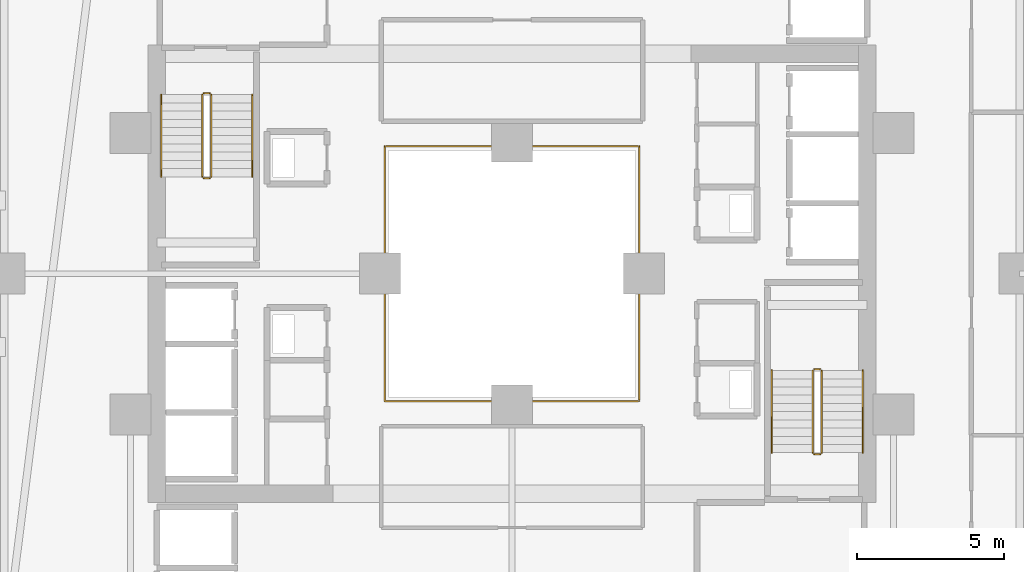
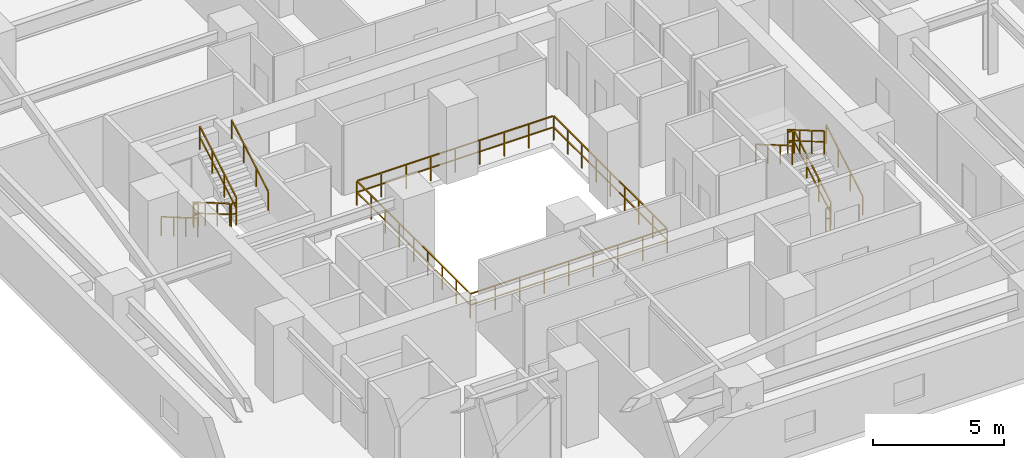
# One storey, part 35 of 36: 13 railings.
"""IFC4 building model written with IfcOpenShell, lengths in metres."""

import ifcopenshell
import ifcopenshell.guid

model = None  # the IFC model being written
_history = None  # IfcOwnerHistory: only IFC2X3 demands one
_inside = {}  # id of a spatial element -> (the spatial element, [elements in it])
_under = {}  # id of a project, library or spatial element -> (it, [spatial elements below it])
_declared = {}  # id of a project -> (the project, [libraries it declares])
_typed = {}  # id of a type object -> (the type object, [elements of that type])
_made_of = {}  # id of a material, layer set ... -> (it, [elements and type objects made of it])


def new_model(schema):
    """Start an empty IFC model of exactly this schema.

    Asked for "IFC4X3", IfcOpenShell would pick the latest addendum, in which some entities
    have other attributes; the version numbers below select the first issue.
    IFC2X3 requires an IfcOwnerHistory on every rooted entity: one is made here for all.
    """
    global model, _history
    if schema == "IFC4X3":
        model = ifcopenshell.file(schema_version=(4, 3, 0, 0))
    else:
        model = ifcopenshell.file(schema=schema)
    _inside.clear()
    _under.clear()
    _declared.clear()
    _typed.clear()
    _made_of.clear()
    _history = None
    if model.schema == "IFC2X3":
        org = make("IfcOrganization", Name="unknown")
        user = make(
            "IfcPersonAndOrganization",
            ThePerson=make("IfcPerson", FamilyName="unknown"),
            TheOrganization=org,
        )
        app = make(
            "IfcApplication",
            ApplicationDeveloper=org,
            Version="unknown",
            ApplicationFullName="unknown",
            ApplicationIdentifier="unknown",
        )
        _history = make(
            "IfcOwnerHistory",
            OwningUser=user,
            OwningApplication=app,
            ChangeAction="ADDED",
            CreationDate=0,
        )
    return model


def make(cls, **values):
    """One entity of the class cls with the attributes given. An attribute that is None is left unset."""
    return model.create_entity(
        cls, **{name: value for name, value in values.items() if value is not None}
    )


def rooted(cls, **values):
    """An entity with a GlobalId (a new one), such as an element, a storey or a relation."""
    return make(cls, GlobalId=ifcopenshell.guid.new(), OwnerHistory=_history, **values)


def si_unit(unit_type, name, prefix=None):
    """IfcSIUnit, for example si_unit("LENGTHUNIT", "METRE", prefix="MILLI")."""
    return make("IfcSIUnit", UnitType=unit_type, Prefix=prefix, Name=name)


def assignment(units):
    """IfcUnitAssignment: the units of a project."""
    return None if units is None else make("IfcUnitAssignment", Units=units)


def point(xyz):
    """IfcCartesianPoint."""
    return None if xyz is None else make("IfcCartesianPoint", Coordinates=xyz)


def direction(xyz):
    """IfcDirection."""
    return None if xyz is None else make("IfcDirection", DirectionRatios=xyz)


def frame(location, z_axis=None, x_axis=None):
    """IfcAxis2Placement3D, a coordinate frame: its origin and axes. An axis left out is left unset."""
    return make(
        "IfcAxis2Placement3D",
        Location=point(location),
        Axis=direction(z_axis),
        RefDirection=direction(x_axis),
    )


def frame_2d(location, x_axis=None):
    """IfcAxis2Placement2D, a coordinate frame in the plane: its origin and x axis."""
    return make(
        "IfcAxis2Placement2D", Location=point(location), RefDirection=direction(x_axis)
    )


def origin():
    """The frame at (0, 0, 0) with its axes left unset."""
    return frame((0.0, 0.0, 0.0))


def origin_2d():
    """The frame at (0, 0) in the plane with its x axis left unset."""
    return frame_2d((0.0, 0.0))


def place(relative_to, where):
    """IfcLocalPlacement: puts the frame where relative to a parent placement (None: the world)."""
    return make(
        "IfcLocalPlacement", PlacementRelTo=relative_to, RelativePlacement=where
    )


def context(
    kind, dimensions, precision=None, world=None, true_north=None, identifier=None
):
    """IfcGeometricRepresentationContext, for example the 3D "Model" context."""
    return make(
        "IfcGeometricRepresentationContext",
        ContextIdentifier=identifier,
        ContextType=kind,
        CoordinateSpaceDimension=dimensions,
        Precision=precision,
        WorldCoordinateSystem=world,
        TrueNorth=true_north,
    )


def subcontext(parent, identifier, kind, view, scale=None):
    """IfcGeometricRepresentationSubContext, for example "Body" below "Model"."""
    return make(
        "IfcGeometricRepresentationSubContext",
        ContextIdentifier=identifier,
        ContextType=kind,
        ParentContext=parent,
        TargetScale=scale,
        TargetView=view,
    )


def project(units=None, contexts=None):
    """IfcProject with its units and contexts."""
    return rooted(
        "IfcProject",
        Name="project",
        RepresentationContexts=contexts,
        UnitsInContext=assignment(units),
    )


def spatial(cls, under=None, at=None, **own):
    """A site, building, storey or space (cls), placed at a placement, below another one or the project."""
    s = rooted(cls, ObjectPlacement=at, **own)
    if under is not None:
        _under.setdefault(under.id(), (under, []))[1].append(s)
    return s


def profile(cls, at=None, kind="AREA", **sizes):
    """A parametric profile (cls). Its sizes go by their IFC names, for example OverallWidth=200.0."""
    return make(cls, ProfileType=kind, Position=at, **sizes)


def rectangle(**sizes):
    """IfcRectangleProfileDef."""
    return profile("IfcRectangleProfileDef", **sizes)


def extrude(swept, where, along, depth):
    """IfcExtrudedAreaSolid: the profile swept, set in the frame where, extruded along a direction by depth."""
    return make(
        "IfcExtrudedAreaSolid",
        SweptArea=swept,
        Position=where,
        ExtrudedDirection=direction(along),
        Depth=depth,
    )


def shape(context_of_items, identifier, shape_type, items):
    """IfcShapeRepresentation: the items that make up one representation, for example the "Body"."""
    return make(
        "IfcShapeRepresentation",
        ContextOfItems=context_of_items,
        RepresentationIdentifier=identifier,
        RepresentationType=shape_type,
        Items=items,
    )


def material(Name=None, Category=None):
    """IfcMaterial."""
    return make("IfcMaterial", Name=Name, Category=Category)


def made_of(thing, what):
    """Note that an element or type object is made of a material, layer set ...; save() writes the relation."""
    if what is not None:
        _made_of.setdefault(what.id(), (what, []))[1].append(thing)
    return thing


def type_object(cls, material=None, **own):
    """A type object (cls), such as IfcWallType, which elements share."""
    return made_of(rooted(cls, **own), material)


def element(
    cls,
    number,
    at=None,
    inside=None,
    cuts=None,
    type_object=None,
    material=None,
    context=None,
    identifier="Body",
    shape_type=None,
    held_by="IfcProductDefinitionShape",
    body=None,
    shapes=None,
    **own,
):
    """One element of the class cls, such as IfcWall. Its Tag is "e" and its number.

    at: its placement. inside: the storey or other place that contains it. cuts: it is an
    opening in that element (IfcRelVoidsElement). A single representation is given by context,
    identifier, shape_type and body (its items); several are given by shapes. held_by: the class
    of the entity that holds the representations. save() writes the other relations.
    """
    e = rooted(cls, Tag="e%d" % number, ObjectPlacement=at, **own)
    if body is not None:
        shapes = [shape(context, identifier, shape_type, body)]
    if shapes is not None:
        e.Representation = make(held_by, Representations=shapes)
    if inside is not None:
        _inside.setdefault(inside.id(), (inside, []))[1].append(e)
    if cuts is not None:
        rooted(
            "IfcRelVoidsElement", RelatingBuildingElement=cuts, RelatedOpeningElement=e
        )
    if type_object is not None:
        _typed.setdefault(type_object.id(), (type_object, []))[1].append(e)
    return made_of(e, material)


def aggregate(whole, parts):
    """IfcRelAggregates: a whole, such as a stair, and the parts it consists of."""
    return rooted("IfcRelAggregates", RelatingObject=whole, RelatedObjects=parts)


def save(model, path):
    """Write the relations noted so far, then the file.

    IfcRelAggregates (storeys below a building ...), IfcRelContainedInSpatialStructure (elements
    in a storey), IfcRelDefinesByType, IfcRelAssociatesMaterial and IfcRelDeclares: one each for
    every whole, place, type object, material and project.
    """
    for whole, parts in _under.values():
        aggregate(whole, parts)
    for where, things in _inside.values():
        rooted(
            "IfcRelContainedInSpatialStructure",
            RelatedElements=things,
            RelatingStructure=where,
        )
    for kind, things in _typed.values():
        rooted("IfcRelDefinesByType", RelatedObjects=things, RelatingType=kind)
    for what, things in _made_of.values():
        rooted("IfcRelAssociatesMaterial", RelatedObjects=things, RelatingMaterial=what)
    for by, libraries in _declared.values():
        rooted("IfcRelDeclares", RelatingContext=by, RelatedDefinitions=libraries)
    model.write(path)


model = new_model("IFC4")

# Units and contexts
model_context = context("Model", 3, precision=1e-05, world=origin(), true_north=direction((0.0, 1.0)))
body_context = subcontext(model_context, "Body", "Model", "MODEL_VIEW")
ifc_project = project(units=[si_unit("LENGTHUNIT", "METRE"), si_unit("AREAUNIT", "SQUARE_METRE"), si_unit("VOLUMEUNIT", "CUBIC_METRE"), si_unit("PLANEANGLEUNIT", "RADIAN"), si_unit("MASSUNIT", "GRAM", prefix="KILO")], contexts=[model_context])

# Site, building, storey
site_placement = place(None, origin())
site = spatial("IfcSite", under=ifc_project, at=site_placement, CompositionType="ELEMENT")
building_placement = place(site_placement, origin())
building = spatial("IfcBuilding", under=site, at=building_placement, Name="Thornwick Lancets Civic Towers", CompositionType="ELEMENT")
storey_placement = place(building_placement, frame((0.0, 0.0, 68.10009765625)))
storey = spatial("IfcBuildingStorey", under=building, at=storey_placement, Name="L17", CompositionType="ELEMENT", Elevation=68.10009765625)

# Railings
ifc_material_1 = material(Name="Laminated glass and bronze steel S355", Category="steel")
railing_type_1 = type_object("IfcRailingType", Name="RAIL_ATRIUM_GUARD", PredefinedType="BALUSTRADE", material=ifc_material_1)
railing_1_placement = place(storey_placement, frame((84.159912109375, 22.659912109375, 0.0)))
element("IfcRailing", 1, at=railing_1_placement, inside=storey, type_object=railing_type_1, Name="L17 Tower B Central Atrium Guard Balustrade", PredefinedType="BALUSTRADE", context=body_context, shape_type="SweptSolid", body=[
    extrude(rectangle(XDim=0.048095703125, YDim=0.048095703125, at=origin_2d()), frame((0.0, 0.0, 1.1259765625), z_axis=(1.0, 0.0, 0.0), x_axis=(0.0, 1.0, 0.0)), (0.0, 0.0, 1.0), 8.64892578125),
    extrude(rectangle(XDim=0.0419921875, YDim=0.0419921875, at=origin_2d()), frame((0.03759765625, 0.0, 0.597900390625), z_axis=(1.0, 0.0, 0.0), x_axis=(0.0, 1.0, 0.0)), (0.0, 0.0, 1.0), 1.010009765625),
    extrude(rectangle(XDim=0.0419921875, YDim=0.0419921875, at=origin_2d()), frame((1.12255859375, 0.0, 0.597900390625), z_axis=(1.0, 0.0, 0.0), x_axis=(0.0, 1.0, 0.0)), (0.0, 0.0, 1.0), 1.010009765625),
    extrude(rectangle(XDim=0.0419921875, YDim=0.0419921875, at=origin_2d()), frame((2.20751953125, 0.0, 0.597900390625), z_axis=(1.0, 0.0, 0.0), x_axis=(0.0, 1.0, 0.0)), (0.0, 0.0, 1.0), 1.010009765625),
    extrude(rectangle(XDim=0.0419921875, YDim=0.0419921875, at=origin_2d()), frame((3.29248046875, 0.0, 0.597900390625), z_axis=(1.0, 0.0, 0.0), x_axis=(0.0, 1.0, 0.0)), (0.0, 0.0, 1.0), 1.010009765625),
    extrude(rectangle(XDim=0.0419921875, YDim=0.0419921875, at=origin_2d()), frame((4.377685546875, 0.0, 0.597900390625), z_axis=(1.0, 0.0, 0.0), x_axis=(0.0, 1.0, 0.0)), (0.0, 0.0, 1.0), 1.010009765625),
    extrude(rectangle(XDim=0.0419921875, YDim=0.0419921875, at=origin_2d()), frame((5.462646484375, 0.0, 0.597900390625), z_axis=(1.0, 0.0, 0.0), x_axis=(0.0, 1.0, 0.0)), (0.0, 0.0, 1.0), 1.010009765625),
    extrude(rectangle(XDim=0.0419921875, YDim=0.0419921875, at=origin_2d()), frame((6.547607421875, 0.0, 0.597900390625), z_axis=(1.0, 0.0, 0.0), x_axis=(0.0, 1.0, 0.0)), (0.0, 0.0, 1.0), 1.010009765625),
    extrude(rectangle(XDim=0.0419921875, YDim=0.0419921875, at=origin_2d()), frame((7.632568359375, 0.0, 0.597900390625), z_axis=(1.0, 0.0, 0.0), x_axis=(0.0, 1.0, 0.0)), (0.0, 0.0, 1.0), 1.010009765625),
    extrude(rectangle(XDim=0.048095703125, YDim=0.048095703125, at=origin_2d()), frame((8.68017578125, 0.03125, 1.1259765625), z_axis=(0.0, 1.0, 0.0), x_axis=(-1.0, 0.0, 0.0)), (0.0, 0.0, 1.0), 8.61767578125),
    extrude(rectangle(XDim=0.0419921875, YDim=0.0419921875, at=origin_2d()), frame((8.68017578125, 0.03759765625, 0.597900390625), z_axis=(0.0, 1.0, 0.0), x_axis=(-1.0, 0.0, 0.0)), (0.0, 0.0, 1.0), 1.010009765625),
    extrude(rectangle(XDim=0.0419921875, YDim=0.0419921875, at=origin_2d()), frame((8.68017578125, 1.12255859375, 0.597900390625), z_axis=(0.0, 1.0, 0.0), x_axis=(-1.0, 0.0, 0.0)), (0.0, 0.0, 1.0), 1.010009765625),
    extrude(rectangle(XDim=0.0419921875, YDim=0.0419921875, at=origin_2d()), frame((8.68017578125, 2.20751953125, 0.597900390625), z_axis=(0.0, 1.0, 0.0), x_axis=(-1.0, 0.0, 0.0)), (0.0, 0.0, 1.0), 1.010009765625),
    extrude(rectangle(XDim=0.0419921875, YDim=0.0419921875, at=origin_2d()), frame((8.68017578125, 3.29248046875, 0.597900390625), z_axis=(0.0, 1.0, 0.0), x_axis=(-1.0, 0.0, 0.0)), (0.0, 0.0, 1.0), 1.010009765625),
    extrude(rectangle(XDim=0.0419921875, YDim=0.0419921875, at=origin_2d()), frame((8.68017578125, 4.377685546875, 0.597900390625), z_axis=(0.0, 1.0, 0.0), x_axis=(-1.0, 0.0, 0.0)), (0.0, 0.0, 1.0), 1.010009765625),
    extrude(rectangle(XDim=0.0419921875, YDim=0.0419921875, at=origin_2d()), frame((8.68017578125, 5.462646484375, 0.597900390625), z_axis=(0.0, 1.0, 0.0), x_axis=(-1.0, 0.0, 0.0)), (0.0, 0.0, 1.0), 1.010009765625),
    extrude(rectangle(XDim=0.0419921875, YDim=0.0419921875, at=origin_2d()), frame((8.68017578125, 6.547607421875, 0.597900390625), z_axis=(0.0, 1.0, 0.0), x_axis=(-1.0, 0.0, 0.0)), (0.0, 0.0, 1.0), 1.010009765625),
    extrude(rectangle(XDim=0.0419921875, YDim=0.0419921875, at=origin_2d()), frame((8.68017578125, 7.632568359375, 0.597900390625), z_axis=(0.0, 1.0, 0.0), x_axis=(-1.0, 0.0, 0.0)), (0.0, 0.0, 1.0), 1.010009765625),
    extrude(rectangle(XDim=0.048095703125, YDim=0.048095703125, at=origin_2d()), frame((8.64892578125, 8.68017578125, 1.1259765625), z_axis=(-1.0, 0.0, 0.0), x_axis=(0.0, -1.0, 0.0)), (0.0, 0.0, 1.0), 8.61767578125),
    extrude(rectangle(XDim=0.0419921875, YDim=0.0419921875, at=origin_2d()), frame((8.642578125, 8.68017578125, 0.597900390625), z_axis=(-1.0, 0.0, 0.0), x_axis=(0.0, -1.0, 0.0)), (0.0, 0.0, 1.0), 1.010009765625),
    extrude(rectangle(XDim=0.0419921875, YDim=0.0419921875, at=origin_2d()), frame((7.5576171875, 8.68017578125, 0.597900390625), z_axis=(-1.0, 0.0, 0.0), x_axis=(0.0, -1.0, 0.0)), (0.0, 0.0, 1.0), 1.010009765625),
    extrude(rectangle(XDim=0.0419921875, YDim=0.0419921875, at=origin_2d()), frame((6.47265625, 8.68017578125, 0.597900390625), z_axis=(-1.0, 0.0, 0.0), x_axis=(0.0, -1.0, 0.0)), (0.0, 0.0, 1.0), 1.010009765625),
    extrude(rectangle(XDim=0.0419921875, YDim=0.0419921875, at=origin_2d()), frame((5.3876953125, 8.68017578125, 0.597900390625), z_axis=(-1.0, 0.0, 0.0), x_axis=(0.0, -1.0, 0.0)), (0.0, 0.0, 1.0), 1.010009765625),
    extrude(rectangle(XDim=0.0419921875, YDim=0.0419921875, at=origin_2d()), frame((4.302490234375, 8.68017578125, 0.597900390625), z_axis=(-1.0, 0.0, 0.0), x_axis=(0.0, -1.0, 0.0)), (0.0, 0.0, 1.0), 1.010009765625),
    extrude(rectangle(XDim=0.0419921875, YDim=0.0419921875, at=origin_2d()), frame((3.217529296875, 8.68017578125, 0.597900390625), z_axis=(-1.0, 0.0, 0.0), x_axis=(0.0, -1.0, 0.0)), (0.0, 0.0, 1.0), 1.010009765625),
    extrude(rectangle(XDim=0.0419921875, YDim=0.0419921875, at=origin_2d()), frame((2.132568359375, 8.68017578125, 0.597900390625), z_axis=(-1.0, 0.0, 0.0), x_axis=(0.0, -1.0, 0.0)), (0.0, 0.0, 1.0), 1.010009765625),
    extrude(rectangle(XDim=0.0419921875, YDim=0.0419921875, at=origin_2d()), frame((1.047607421875, 8.68017578125, 0.597900390625), z_axis=(-1.0, 0.0, 0.0), x_axis=(0.0, -1.0, 0.0)), (0.0, 0.0, 1.0), 1.010009765625),
    extrude(rectangle(XDim=0.048095703125, YDim=0.048095703125, at=origin_2d()), frame((0.0, 8.64892578125, 1.1259765625), z_axis=(0.0, -1.0, 0.0), x_axis=(1.0, 0.0, 0.0)), (0.0, 0.0, 1.0), 8.64892578125),
    extrude(rectangle(XDim=0.0419921875, YDim=0.0419921875, at=origin_2d()), frame((0.0, 8.642578125, 0.597900390625), z_axis=(0.0, -1.0, 0.0), x_axis=(1.0, 0.0, 0.0)), (0.0, 0.0, 1.0), 1.010009765625),
    extrude(rectangle(XDim=0.0419921875, YDim=0.0419921875, at=origin_2d()), frame((0.0, 7.5576171875, 0.597900390625), z_axis=(0.0, -1.0, 0.0), x_axis=(1.0, 0.0, 0.0)), (0.0, 0.0, 1.0), 1.010009765625),
    extrude(rectangle(XDim=0.0419921875, YDim=0.0419921875, at=origin_2d()), frame((0.0, 6.47265625, 0.597900390625), z_axis=(0.0, -1.0, 0.0), x_axis=(1.0, 0.0, 0.0)), (0.0, 0.0, 1.0), 1.010009765625),
    extrude(rectangle(XDim=0.0419921875, YDim=0.0419921875, at=origin_2d()), frame((0.0, 5.3876953125, 0.597900390625), z_axis=(0.0, -1.0, 0.0), x_axis=(1.0, 0.0, 0.0)), (0.0, 0.0, 1.0), 1.010009765625),
    extrude(rectangle(XDim=0.0419921875, YDim=0.0419921875, at=origin_2d()), frame((0.0, 4.302490234375, 0.597900390625), z_axis=(0.0, -1.0, 0.0), x_axis=(1.0, 0.0, 0.0)), (0.0, 0.0, 1.0), 1.010009765625),
    extrude(rectangle(XDim=0.0419921875, YDim=0.0419921875, at=origin_2d()), frame((0.0, 3.217529296875, 0.597900390625), z_axis=(0.0, -1.0, 0.0), x_axis=(1.0, 0.0, 0.0)), (0.0, 0.0, 1.0), 1.010009765625),
    extrude(rectangle(XDim=0.0419921875, YDim=0.0419921875, at=origin_2d()), frame((0.0, 2.132568359375, 0.597900390625), z_axis=(0.0, -1.0, 0.0), x_axis=(1.0, 0.0, 0.0)), (0.0, 0.0, 1.0), 1.010009765625),
    extrude(rectangle(XDim=0.0419921875, YDim=0.0419921875, at=origin_2d()), frame((0.0, 1.047607421875, 0.597900390625), z_axis=(0.0, -1.0, 0.0), x_axis=(1.0, 0.0, 0.0)), (0.0, 0.0, 1.0), 1.010009765625),
    extrude(rectangle(XDim=0.0419921875, YDim=0.0419921875, at=origin_2d()), origin(), (0.0, 0.0, 1.0), 1.095703125),
    extrude(rectangle(XDim=0.0419921875, YDim=0.0419921875, at=origin_2d()), frame((1.0849609375, 0.0, 0.0)), (0.0, 0.0, 1.0), 1.095703125),
    extrude(rectangle(XDim=0.0419921875, YDim=0.0419921875, at=origin_2d()), frame((2.169921875, 0.0, 0.0)), (0.0, 0.0, 1.0), 1.095703125),
    extrude(rectangle(XDim=0.0419921875, YDim=0.0419921875, at=origin_2d()), frame((3.255126953125, 0.0, 0.0)), (0.0, 0.0, 1.0), 1.095703125),
    extrude(rectangle(XDim=0.0419921875, YDim=0.0419921875, at=origin_2d()), frame((4.340087890625, 0.0, 0.0)), (0.0, 0.0, 1.0), 1.095703125),
    extrude(rectangle(XDim=0.0419921875, YDim=0.0419921875, at=origin_2d()), frame((5.425048828125, 0.0, 0.0)), (0.0, 0.0, 1.0), 1.095703125),
    extrude(rectangle(XDim=0.0419921875, YDim=0.0419921875, at=origin_2d()), frame((6.51025390625, 0.0, 0.0)), (0.0, 0.0, 1.0), 1.095703125),
    extrude(rectangle(XDim=0.0419921875, YDim=0.0419921875, at=origin_2d()), frame((7.59521484375, 0.0, 0.0)), (0.0, 0.0, 1.0), 1.095703125),
    extrude(rectangle(XDim=0.0419921875, YDim=0.0419921875, at=origin_2d()), frame((8.68017578125, 0.0, 0.0)), (0.0, 0.0, 1.0), 1.095703125),
    extrude(rectangle(XDim=0.0419921875, YDim=0.0419921875, at=origin_2d()), frame((8.68017578125, 1.0849609375, 0.0)), (0.0, 0.0, 1.0), 1.095703125),
    extrude(rectangle(XDim=0.0419921875, YDim=0.0419921875, at=origin_2d()), frame((8.68017578125, 2.169921875, 0.0)), (0.0, 0.0, 1.0), 1.095703125),
    extrude(rectangle(XDim=0.0419921875, YDim=0.0419921875, at=origin_2d()), frame((8.68017578125, 3.255126953125, 0.0)), (0.0, 0.0, 1.0), 1.095703125),
    extrude(rectangle(XDim=0.0419921875, YDim=0.0419921875, at=origin_2d()), frame((8.68017578125, 4.340087890625, 0.0)), (0.0, 0.0, 1.0), 1.095703125),
    extrude(rectangle(XDim=0.0419921875, YDim=0.0419921875, at=origin_2d()), frame((8.68017578125, 5.425048828125, 0.0)), (0.0, 0.0, 1.0), 1.095703125),
    extrude(rectangle(XDim=0.0419921875, YDim=0.0419921875, at=origin_2d()), frame((8.68017578125, 6.51025390625, 0.0)), (0.0, 0.0, 1.0), 1.095703125),
    extrude(rectangle(XDim=0.0419921875, YDim=0.0419921875, at=origin_2d()), frame((8.68017578125, 7.59521484375, 0.0)), (0.0, 0.0, 1.0), 1.095703125),
    extrude(rectangle(XDim=0.0419921875, YDim=0.0419921875, at=origin_2d()), frame((8.68017578125, 8.68017578125, 0.0)), (0.0, 0.0, 1.0), 1.095703125),
    extrude(rectangle(XDim=0.0419921875, YDim=0.0419921875, at=origin_2d()), frame((7.59521484375, 8.68017578125, 0.0)), (0.0, 0.0, 1.0), 1.095703125),
    extrude(rectangle(XDim=0.0419921875, YDim=0.0419921875, at=origin_2d()), frame((6.51025390625, 8.68017578125, 0.0)), (0.0, 0.0, 1.0), 1.095703125),
    extrude(rectangle(XDim=0.0419921875, YDim=0.0419921875, at=origin_2d()), frame((5.425048828125, 8.68017578125, 0.0)), (0.0, 0.0, 1.0), 1.095703125),
    extrude(rectangle(XDim=0.0419921875, YDim=0.0419921875, at=origin_2d()), frame((4.340087890625, 8.68017578125, 0.0)), (0.0, 0.0, 1.0), 1.095703125),
    extrude(rectangle(XDim=0.0419921875, YDim=0.0419921875, at=origin_2d()), frame((3.255126953125, 8.68017578125, 0.0)), (0.0, 0.0, 1.0), 1.095703125),
    extrude(rectangle(XDim=0.0419921875, YDim=0.0419921875, at=origin_2d()), frame((2.169921875, 8.68017578125, 0.0)), (0.0, 0.0, 1.0), 1.095703125),
    extrude(rectangle(XDim=0.0419921875, YDim=0.0419921875, at=origin_2d()), frame((1.0849609375, 8.68017578125, 0.0)), (0.0, 0.0, 1.0), 1.095703125),
    extrude(rectangle(XDim=0.0419921875, YDim=0.0419921875, at=origin_2d()), frame((0.0, 8.68017578125, 0.0)), (0.0, 0.0, 1.0), 1.095703125),
    extrude(rectangle(XDim=0.0419921875, YDim=0.0419921875, at=origin_2d()), frame((0.0, 7.59521484375, 0.0)), (0.0, 0.0, 1.0), 1.095703125),
    extrude(rectangle(XDim=0.0419921875, YDim=0.0419921875, at=origin_2d()), frame((0.0, 6.51025390625, 0.0)), (0.0, 0.0, 1.0), 1.095703125),
    extrude(rectangle(XDim=0.0419921875, YDim=0.0419921875, at=origin_2d()), frame((0.0, 5.425048828125, 0.0)), (0.0, 0.0, 1.0), 1.095703125),
    extrude(rectangle(XDim=0.0419921875, YDim=0.0419921875, at=origin_2d()), frame((0.0, 4.340087890625, 0.0)), (0.0, 0.0, 1.0), 1.095703125),
    extrude(rectangle(XDim=0.0419921875, YDim=0.0419921875, at=origin_2d()), frame((0.0, 3.255126953125, 0.0)), (0.0, 0.0, 1.0), 1.095703125),
    extrude(rectangle(XDim=0.0419921875, YDim=0.0419921875, at=origin_2d()), frame((0.0, 2.169921875, 0.0)), (0.0, 0.0, 1.0), 1.095703125),
    extrude(rectangle(XDim=0.0419921875, YDim=0.0419921875, at=origin_2d()), frame((0.0, 1.0849609375, 0.0)), (0.0, 0.0, 1.0), 1.095703125),
])
ifc_material_2 = material(Name="Brushed stainless steel S355", Category="steel")
railing_type_2 = type_object("IfcRailingType", Name="RAIL_HANDRAIL", PredefinedType="HANDRAIL", material=ifc_material_2)
railing_2_placement = place(storey_placement, frame((100.449951171875, 20.89990234375, 0.16357421875)))
element("IfcRailing", 2, at=railing_2_placement, inside=storey, type_object=railing_type_2, Name="L17 ST-B1 stair handrail 1", PredefinedType="HANDRAIL", context=body_context, shape_type="SweptSolid", body=[
    extrude(rectangle(XDim=0.048095703125, YDim=0.048095703125, at=origin_2d()), frame((0.0, 0.0, 0.8857421875), z_axis=(0.0, 0.863393664356, 0.504530851732), x_axis=(-1.0, 0.0, 0.0)), (0.0, 0.0, 1.0), 3.2431640625),
    extrude(rectangle(XDim=0.0419921875, YDim=0.0419921875, at=origin_2d()), origin(), (0.0, 0.0, 1.0), 0.855712890625),
    extrude(rectangle(XDim=0.0419921875, YDim=0.0419921875, at=origin_2d()), frame((0.0, 0.933349609375, 0.54541015625)), (0.0, 0.0, 1.0), 0.855712890625),
    extrude(rectangle(XDim=0.0419921875, YDim=0.0419921875, at=origin_2d()), frame((0.0, 1.86669921875, 1.0908203125)), (0.0, 0.0, 1.0), 0.855712890625),
    extrude(rectangle(XDim=0.0419921875, YDim=0.0419921875, at=origin_2d()), frame((0.0, 2.800048828125, 1.63623046875)), (0.0, 0.0, 1.0), 0.855712890625),
])
for number, where, name in (
    (3, (97.35009765625, 23.699951171875, 1.963623046875), "L17 ST-B1 stair handrail 2"),
    (4, (76.550048828125, 33.10009765625, 0.16357421875), "L17 ST-B2 stair handrail 1"),
):
    element("IfcRailing", number, at=place(storey_placement, frame(where)), inside=storey, type_object=railing_type_2, Name=name, PredefinedType="HANDRAIL", context=body_context, shape_type="SweptSolid", body=[
        extrude(rectangle(XDim=0.048095703125, YDim=0.048095703125, at=origin_2d()), frame((0.0, 0.0, 0.8857421875), z_axis=(0.0, -0.863393664356, 0.504530851732), x_axis=(1.0, 0.0, 0.0)), (0.0, 0.0, 1.0), 3.2431640625),
        extrude(rectangle(XDim=0.0419921875, YDim=0.0419921875, at=origin_2d()), origin(), (0.0, 0.0, 1.0), 0.855712890625),
        extrude(rectangle(XDim=0.0419921875, YDim=0.0419921875, at=origin_2d()), frame((0.0, -0.933349609375, 0.54541015625)), (0.0, 0.0, 1.0), 0.855712890625),
        extrude(rectangle(XDim=0.0419921875, YDim=0.0419921875, at=origin_2d()), frame((0.0, -1.86669921875, 1.0908203125)), (0.0, 0.0, 1.0), 0.855712890625),
        extrude(rectangle(XDim=0.0419921875, YDim=0.0419921875, at=origin_2d()), frame((0.0, -2.800048828125, 1.63623046875)), (0.0, 0.0, 1.0), 0.855712890625),
    ])
railing_3_placement = place(storey_placement, frame((79.64990234375, 30.300048828125, 1.963623046875)))
element("IfcRailing", 5, at=railing_3_placement, inside=storey, type_object=railing_type_2, Name="L17 ST-B2 stair handrail 2", PredefinedType="HANDRAIL", context=body_context, shape_type="SweptSolid", body=[
    extrude(rectangle(XDim=0.048095703125, YDim=0.048095703125, at=origin_2d()), frame((0.0, 0.0, 0.8857421875), z_axis=(0.0, 0.863393664356, 0.504530851732), x_axis=(-1.0, 0.0, 0.0)), (0.0, 0.0, 1.0), 3.2431640625),
    extrude(rectangle(XDim=0.0419921875, YDim=0.0419921875, at=origin_2d()), origin(), (0.0, 0.0, 1.0), 0.855712890625),
    extrude(rectangle(XDim=0.0419921875, YDim=0.0419921875, at=origin_2d()), frame((0.0, 0.933349609375, 0.54541015625)), (0.0, 0.0, 1.0), 0.855712890625),
    extrude(rectangle(XDim=0.0419921875, YDim=0.0419921875, at=origin_2d()), frame((0.0, 1.86669921875, 1.0908203125)), (0.0, 0.0, 1.0), 0.855712890625),
    extrude(rectangle(XDim=0.0419921875, YDim=0.0419921875, at=origin_2d()), frame((0.0, 2.800048828125, 1.63623046875)), (0.0, 0.0, 1.0), 0.855712890625),
])
ifc_material_3 = material(Name="Steel S355JR", Category="steel")
railing_type_3 = type_object("IfcRailingType", Name="RAIL_STAIR_GUARD", PredefinedType="GUARDRAIL", material=ifc_material_3)
railing_4_placement = place(storey_placement, frame((99.050048828125, 20.89990234375, 0.16357421875)))
element("IfcRailing", 6, at=railing_4_placement, inside=storey, type_object=railing_type_3, Name="L17 ST-B1 stair guard 1", PredefinedType="GUARDRAIL", context=body_context, shape_type="SweptSolid", body=[
    extrude(rectangle(XDim=0.048095703125, YDim=0.048095703125, at=origin_2d()), frame((0.0, 0.0, 1.076171875), z_axis=(0.0, 0.863393664356, 0.504530851732), x_axis=(-1.0, 0.0, 0.0)), (0.0, 0.0, 1.0), 3.2431640625),
    extrude(rectangle(XDim=0.0419921875, YDim=0.0419921875, at=origin_2d()), frame((0.0, 0.032470703125, 0.591064453125), z_axis=(0.0, 0.863393664356, 0.504530851732), x_axis=(-1.0, 0.0, 0.0)), (0.0, 0.0, 1.0), 1.006103515625),
    extrude(rectangle(XDim=0.0419921875, YDim=0.0419921875, at=origin_2d()), frame((0.0, 0.9658203125, 1.136474609375), z_axis=(0.0, 0.863393664356, 0.504530851732), x_axis=(-1.0, 0.0, 0.0)), (0.0, 0.0, 1.0), 1.006103515625),
    extrude(rectangle(XDim=0.0419921875, YDim=0.0419921875, at=origin_2d()), frame((0.0, 1.899169921875, 1.681884765625), z_axis=(0.0, 0.863393664356, 0.504530851732), x_axis=(-1.0, 0.0, 0.0)), (0.0, 0.0, 1.0), 1.006103515625),
    extrude(rectangle(XDim=0.0419921875, YDim=0.0419921875, at=origin_2d()), origin(), (0.0, 0.0, 1.0), 1.0458984375),
    extrude(rectangle(XDim=0.0419921875, YDim=0.0419921875, at=origin_2d()), frame((0.0, 0.933349609375, 0.54541015625)), (0.0, 0.0, 1.0), 1.0458984375),
    extrude(rectangle(XDim=0.0419921875, YDim=0.0419921875, at=origin_2d()), frame((0.0, 1.86669921875, 1.0908203125)), (0.0, 0.0, 1.0), 1.0458984375),
    extrude(rectangle(XDim=0.0419921875, YDim=0.0419921875, at=origin_2d()), frame((0.0, 2.800048828125, 1.63623046875)), (0.0, 0.0, 1.0), 1.0458984375),
])
railing_5_placement = place(storey_placement, frame((99.0, 23.75, 1.7998046875)))
element("IfcRailing", 7, at=railing_5_placement, inside=storey, type_object=railing_type_3, Name="L17 ST-B1 stair guard 2", PredefinedType="GUARDRAIL", context=body_context, shape_type="SweptSolid", body=[
    extrude(rectangle(XDim=0.048095703125, YDim=0.048095703125, at=origin_2d()), frame((0.0, 0.0, 1.076171875), z_axis=(-1.0, 0.0, 0.0), x_axis=(0.0, -1.0, 0.0)), (0.0, 0.0, 1.0), 0.199951171875),
    extrude(rectangle(XDim=0.0419921875, YDim=0.0419921875, at=origin_2d()), frame((-0.03759765625, 0.0, 0.572021484375), z_axis=(-1.0, 0.0, 0.0), x_axis=(0.0, -1.0, 0.0)), (0.0, 0.0, 1.0), 0.125),
    extrude(rectangle(XDim=0.0419921875, YDim=0.0419921875, at=origin_2d()), origin(), (0.0, 0.0, 1.0), 1.0458984375),
    extrude(rectangle(XDim=0.0419921875, YDim=0.0419921875, at=origin_2d()), frame((-0.199951171875, 0.0, 0.0)), (0.0, 0.0, 1.0), 1.0458984375),
])
railing_6_placement = place(storey_placement, frame((98.75, 23.699951171875, 1.963623046875)))
element("IfcRailing", 8, at=railing_6_placement, inside=storey, type_object=railing_type_3, Name="L17 ST-B1 stair guard 3", PredefinedType="GUARDRAIL", context=body_context, shape_type="SweptSolid", body=[
    extrude(rectangle(XDim=0.048095703125, YDim=0.048095703125, at=origin_2d()), frame((0.0, 0.0, 1.076171875), z_axis=(0.0, -0.863393664356, 0.504530851732), x_axis=(1.0, 0.0, 0.0)), (0.0, 0.0, 1.0), 3.2431640625),
    extrude(rectangle(XDim=0.0419921875, YDim=0.0419921875, at=origin_2d()), frame((0.0, -0.032470703125, 0.591064453125), z_axis=(0.0, -0.863393664356, 0.504530851732), x_axis=(1.0, 0.0, 0.0)), (0.0, 0.0, 1.0), 1.006103515625),
    extrude(rectangle(XDim=0.0419921875, YDim=0.0419921875, at=origin_2d()), frame((0.0, -0.9658203125, 1.136474609375), z_axis=(0.0, -0.863393664356, 0.504530851732), x_axis=(1.0, 0.0, 0.0)), (0.0, 0.0, 1.0), 1.006103515625),
    extrude(rectangle(XDim=0.0419921875, YDim=0.0419921875, at=origin_2d()), frame((0.0, -1.899169921875, 1.681884765625), z_axis=(0.0, -0.863393664356, 0.504530851732), x_axis=(1.0, 0.0, 0.0)), (0.0, 0.0, 1.0), 1.006103515625),
    extrude(rectangle(XDim=0.0419921875, YDim=0.0419921875, at=origin_2d()), origin(), (0.0, 0.0, 1.0), 1.0458984375),
    extrude(rectangle(XDim=0.0419921875, YDim=0.0419921875, at=origin_2d()), frame((0.0, -0.933349609375, 0.54541015625)), (0.0, 0.0, 1.0), 1.0458984375),
    extrude(rectangle(XDim=0.0419921875, YDim=0.0419921875, at=origin_2d()), frame((0.0, -1.86669921875, 1.0908203125)), (0.0, 0.0, 1.0), 1.0458984375),
    extrude(rectangle(XDim=0.0419921875, YDim=0.0419921875, at=origin_2d()), frame((0.0, -2.800048828125, 1.63623046875)), (0.0, 0.0, 1.0), 1.0458984375),
])
railing_7_placement = place(storey_placement, frame((99.0, 20.85009765625, 0.0)))
element("IfcRailing", 9, at=railing_7_placement, inside=storey, type_object=railing_type_3, Name="L17 ST-B1 stair guard 4", PredefinedType="GUARDRAIL", context=body_context, shape_type="SweptSolid", body=[
    extrude(rectangle(XDim=0.048095703125, YDim=0.048095703125, at=origin_2d()), frame((0.0, 0.0, 1.076171875), z_axis=(-1.0, 0.0, 0.0), x_axis=(0.0, -1.0, 0.0)), (0.0, 0.0, 1.0), 0.199951171875),
    extrude(rectangle(XDim=0.0419921875, YDim=0.0419921875, at=origin_2d()), frame((-0.03759765625, 0.0, 0.572021484375), z_axis=(-1.0, 0.0, 0.0), x_axis=(0.0, -1.0, 0.0)), (0.0, 0.0, 1.0), 0.125),
    extrude(rectangle(XDim=0.0419921875, YDim=0.0419921875, at=origin_2d()), origin(), (0.0, 0.0, 1.0), 1.0458984375),
    extrude(rectangle(XDim=0.0419921875, YDim=0.0419921875, at=origin_2d()), frame((-0.199951171875, 0.0, 0.0)), (0.0, 0.0, 1.0), 1.0458984375),
])
railing_8_placement = place(storey_placement, frame((77.949951171875, 33.10009765625, 0.16357421875)))
element("IfcRailing", 10, at=railing_8_placement, inside=storey, type_object=railing_type_3, Name="L17 ST-B2 stair guard 1", PredefinedType="GUARDRAIL", context=body_context, shape_type="SweptSolid", body=[
    extrude(rectangle(XDim=0.048095703125, YDim=0.048095703125, at=origin_2d()), frame((0.0, 0.0, 1.076171875), z_axis=(0.0, -0.863393664356, 0.504530851732), x_axis=(1.0, 0.0, 0.0)), (0.0, 0.0, 1.0), 3.2431640625),
    extrude(rectangle(XDim=0.0419921875, YDim=0.0419921875, at=origin_2d()), frame((0.0, -0.032470703125, 0.591064453125), z_axis=(0.0, -0.863393664356, 0.504530851732), x_axis=(1.0, 0.0, 0.0)), (0.0, 0.0, 1.0), 1.006103515625),
    extrude(rectangle(XDim=0.0419921875, YDim=0.0419921875, at=origin_2d()), frame((0.0, -0.9658203125, 1.136474609375), z_axis=(0.0, -0.863393664356, 0.504530851732), x_axis=(1.0, 0.0, 0.0)), (0.0, 0.0, 1.0), 1.006103515625),
    extrude(rectangle(XDim=0.0419921875, YDim=0.0419921875, at=origin_2d()), frame((0.0, -1.899169921875, 1.681884765625), z_axis=(0.0, -0.863393664356, 0.504530851732), x_axis=(1.0, 0.0, 0.0)), (0.0, 0.0, 1.0), 1.006103515625),
    extrude(rectangle(XDim=0.0419921875, YDim=0.0419921875, at=origin_2d()), origin(), (0.0, 0.0, 1.0), 1.0458984375),
    extrude(rectangle(XDim=0.0419921875, YDim=0.0419921875, at=origin_2d()), frame((0.0, -0.933349609375, 0.54541015625)), (0.0, 0.0, 1.0), 1.0458984375),
    extrude(rectangle(XDim=0.0419921875, YDim=0.0419921875, at=origin_2d()), frame((0.0, -1.86669921875, 1.0908203125)), (0.0, 0.0, 1.0), 1.0458984375),
    extrude(rectangle(XDim=0.0419921875, YDim=0.0419921875, at=origin_2d()), frame((0.0, -2.800048828125, 1.63623046875)), (0.0, 0.0, 1.0), 1.0458984375),
])
railing_9_placement = place(storey_placement, frame((78.0, 30.25, 1.7998046875)))
element("IfcRailing", 11, at=railing_9_placement, inside=storey, type_object=railing_type_3, Name="L17 ST-B2 stair guard 2", PredefinedType="GUARDRAIL", context=body_context, shape_type="SweptSolid", body=[
    extrude(rectangle(XDim=0.048095703125, YDim=0.048095703125, at=origin_2d()), frame((0.0, 0.0, 1.076171875), z_axis=(1.0, 0.0, 0.0), x_axis=(0.0, 1.0, 0.0)), (0.0, 0.0, 1.0), 0.199951171875),
    extrude(rectangle(XDim=0.0419921875, YDim=0.0419921875, at=origin_2d()), frame((0.03759765625, 0.0, 0.572021484375), z_axis=(1.0, 0.0, 0.0), x_axis=(0.0, 1.0, 0.0)), (0.0, 0.0, 1.0), 0.125),
    extrude(rectangle(XDim=0.0419921875, YDim=0.0419921875, at=origin_2d()), origin(), (0.0, 0.0, 1.0), 1.0458984375),
    extrude(rectangle(XDim=0.0419921875, YDim=0.0419921875, at=origin_2d()), frame((0.199951171875, 0.0, 0.0)), (0.0, 0.0, 1.0), 1.0458984375),
])
railing_10_placement = place(storey_placement, frame((78.25, 30.300048828125, 1.963623046875)))
element("IfcRailing", 12, at=railing_10_placement, inside=storey, type_object=railing_type_3, Name="L17 ST-B2 stair guard 3", PredefinedType="GUARDRAIL", context=body_context, shape_type="SweptSolid", body=[
    extrude(rectangle(XDim=0.048095703125, YDim=0.048095703125, at=origin_2d()), frame((0.0, 0.0, 1.076171875), z_axis=(0.0, 0.863393664356, 0.504530851732), x_axis=(-1.0, 0.0, 0.0)), (0.0, 0.0, 1.0), 3.2431640625),
    extrude(rectangle(XDim=0.0419921875, YDim=0.0419921875, at=origin_2d()), frame((0.0, 0.032470703125, 0.591064453125), z_axis=(0.0, 0.863393664356, 0.504530851732), x_axis=(-1.0, 0.0, 0.0)), (0.0, 0.0, 1.0), 1.006103515625),
    extrude(rectangle(XDim=0.0419921875, YDim=0.0419921875, at=origin_2d()), frame((0.0, 0.9658203125, 1.136474609375), z_axis=(0.0, 0.863393664356, 0.504530851732), x_axis=(-1.0, 0.0, 0.0)), (0.0, 0.0, 1.0), 1.006103515625),
    extrude(rectangle(XDim=0.0419921875, YDim=0.0419921875, at=origin_2d()), frame((0.0, 1.899169921875, 1.681884765625), z_axis=(0.0, 0.863393664356, 0.504530851732), x_axis=(-1.0, 0.0, 0.0)), (0.0, 0.0, 1.0), 1.006103515625),
    extrude(rectangle(XDim=0.0419921875, YDim=0.0419921875, at=origin_2d()), origin(), (0.0, 0.0, 1.0), 1.0458984375),
    extrude(rectangle(XDim=0.0419921875, YDim=0.0419921875, at=origin_2d()), frame((0.0, 0.933349609375, 0.54541015625)), (0.0, 0.0, 1.0), 1.0458984375),
    extrude(rectangle(XDim=0.0419921875, YDim=0.0419921875, at=origin_2d()), frame((0.0, 1.86669921875, 1.0908203125)), (0.0, 0.0, 1.0), 1.0458984375),
    extrude(rectangle(XDim=0.0419921875, YDim=0.0419921875, at=origin_2d()), frame((0.0, 2.800048828125, 1.63623046875)), (0.0, 0.0, 1.0), 1.0458984375),
])
railing_11_placement = place(storey_placement, frame((78.0, 33.14990234375, 0.0)))
element("IfcRailing", 13, at=railing_11_placement, inside=storey, type_object=railing_type_3, Name="L17 ST-B2 stair guard 4", PredefinedType="GUARDRAIL", context=body_context, shape_type="SweptSolid", body=[
    extrude(rectangle(XDim=0.048095703125, YDim=0.048095703125, at=origin_2d()), frame((0.0, 0.0, 1.076171875), z_axis=(1.0, 0.0, 0.0), x_axis=(0.0, 1.0, 0.0)), (0.0, 0.0, 1.0), 0.199951171875),
    extrude(rectangle(XDim=0.0419921875, YDim=0.0419921875, at=origin_2d()), frame((0.03759765625, 0.0, 0.572021484375), z_axis=(1.0, 0.0, 0.0), x_axis=(0.0, 1.0, 0.0)), (0.0, 0.0, 1.0), 0.125),
    extrude(rectangle(XDim=0.0419921875, YDim=0.0419921875, at=origin_2d()), origin(), (0.0, 0.0, 1.0), 1.0458984375),
    extrude(rectangle(XDim=0.0419921875, YDim=0.0419921875, at=origin_2d()), frame((0.199951171875, 0.0, 0.0)), (0.0, 0.0, 1.0), 1.0458984375),
])

save(model, "model.ifc")
